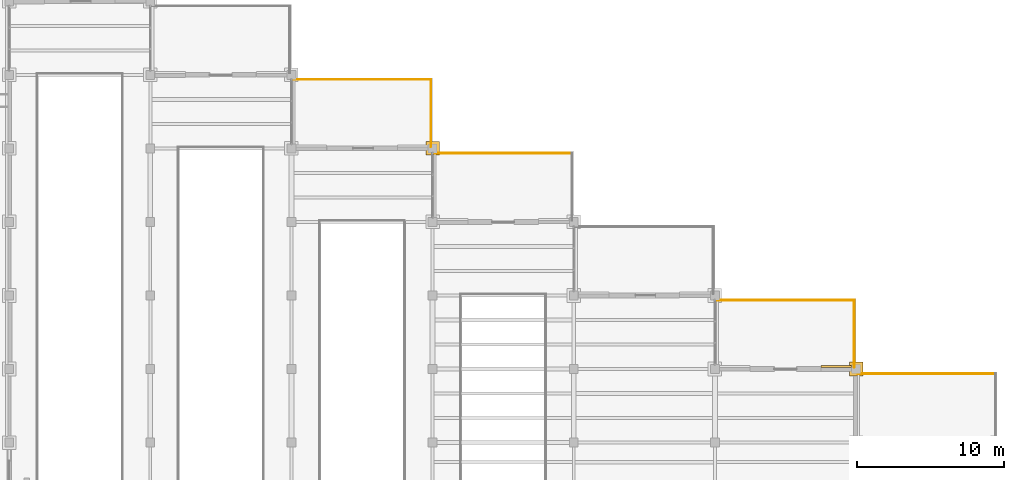
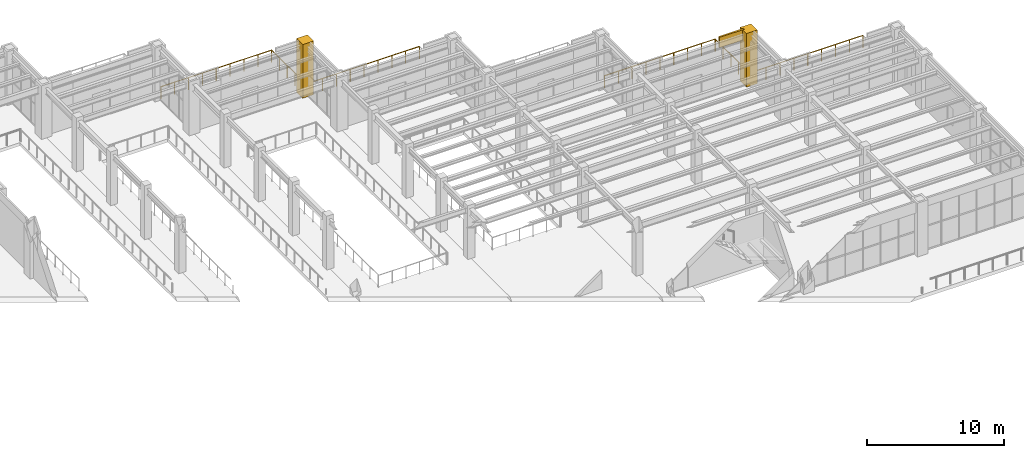
# One storey, part 83 of 83: 6 railings, 3 coverings.
"""IFC4 building model written with IfcOpenShell, lengths in metres."""

import ifcopenshell
import ifcopenshell.guid

model = None  # the IFC model being written
_history = None  # IfcOwnerHistory: only IFC2X3 demands one
_inside = {}  # id of a spatial element -> (the spatial element, [elements in it])
_under = {}  # id of a project, library or spatial element -> (it, [spatial elements below it])
_declared = {}  # id of a project -> (the project, [libraries it declares])
_typed = {}  # id of a type object -> (the type object, [elements of that type])
_made_of = {}  # id of a material, layer set ... -> (it, [elements and type objects made of it])


def new_model(schema):
    """Start an empty IFC model of exactly this schema.

    Asked for "IFC4X3", IfcOpenShell would pick the latest addendum, in which some entities
    have other attributes; the version numbers below select the first issue.
    IFC2X3 requires an IfcOwnerHistory on every rooted entity: one is made here for all.
    """
    global model, _history
    if schema == "IFC4X3":
        model = ifcopenshell.file(schema_version=(4, 3, 0, 0))
    else:
        model = ifcopenshell.file(schema=schema)
    _inside.clear()
    _under.clear()
    _declared.clear()
    _typed.clear()
    _made_of.clear()
    _history = None
    if model.schema == "IFC2X3":
        org = make("IfcOrganization", Name="unknown")
        user = make(
            "IfcPersonAndOrganization",
            ThePerson=make("IfcPerson", FamilyName="unknown"),
            TheOrganization=org,
        )
        app = make(
            "IfcApplication",
            ApplicationDeveloper=org,
            Version="unknown",
            ApplicationFullName="unknown",
            ApplicationIdentifier="unknown",
        )
        _history = make(
            "IfcOwnerHistory",
            OwningUser=user,
            OwningApplication=app,
            ChangeAction="ADDED",
            CreationDate=0,
        )
    return model


def make(cls, **values):
    """One entity of the class cls with the attributes given. An attribute that is None is left unset."""
    return model.create_entity(
        cls, **{name: value for name, value in values.items() if value is not None}
    )


def rooted(cls, **values):
    """An entity with a GlobalId (a new one), such as an element, a storey or a relation."""
    return make(cls, GlobalId=ifcopenshell.guid.new(), OwnerHistory=_history, **values)


def si_unit(unit_type, name, prefix=None):
    """IfcSIUnit, for example si_unit("LENGTHUNIT", "METRE", prefix="MILLI")."""
    return make("IfcSIUnit", UnitType=unit_type, Prefix=prefix, Name=name)


def assignment(units):
    """IfcUnitAssignment: the units of a project."""
    return None if units is None else make("IfcUnitAssignment", Units=units)


def point(xyz):
    """IfcCartesianPoint."""
    return None if xyz is None else make("IfcCartesianPoint", Coordinates=xyz)


def direction(xyz):
    """IfcDirection."""
    return None if xyz is None else make("IfcDirection", DirectionRatios=xyz)


def frame(location, z_axis=None, x_axis=None):
    """IfcAxis2Placement3D, a coordinate frame: its origin and axes. An axis left out is left unset."""
    return make(
        "IfcAxis2Placement3D",
        Location=point(location),
        Axis=direction(z_axis),
        RefDirection=direction(x_axis),
    )


def frame_2d(location, x_axis=None):
    """IfcAxis2Placement2D, a coordinate frame in the plane: its origin and x axis."""
    return make(
        "IfcAxis2Placement2D", Location=point(location), RefDirection=direction(x_axis)
    )


def origin():
    """The frame at (0, 0, 0) with its axes left unset."""
    return frame((0.0, 0.0, 0.0))


def origin_2d():
    """The frame at (0, 0) in the plane with its x axis left unset."""
    return frame_2d((0.0, 0.0))


def place(relative_to, where):
    """IfcLocalPlacement: puts the frame where relative to a parent placement (None: the world)."""
    return make(
        "IfcLocalPlacement", PlacementRelTo=relative_to, RelativePlacement=where
    )


def context(
    kind, dimensions, precision=None, world=None, true_north=None, identifier=None
):
    """IfcGeometricRepresentationContext, for example the 3D "Model" context."""
    return make(
        "IfcGeometricRepresentationContext",
        ContextIdentifier=identifier,
        ContextType=kind,
        CoordinateSpaceDimension=dimensions,
        Precision=precision,
        WorldCoordinateSystem=world,
        TrueNorth=true_north,
    )


def subcontext(parent, identifier, kind, view, scale=None):
    """IfcGeometricRepresentationSubContext, for example "Body" below "Model"."""
    return make(
        "IfcGeometricRepresentationSubContext",
        ContextIdentifier=identifier,
        ContextType=kind,
        ParentContext=parent,
        TargetScale=scale,
        TargetView=view,
    )


def project(units=None, contexts=None):
    """IfcProject with its units and contexts."""
    return rooted(
        "IfcProject",
        Name="project",
        RepresentationContexts=contexts,
        UnitsInContext=assignment(units),
    )


def spatial(cls, under=None, at=None, **own):
    """A site, building, storey or space (cls), placed at a placement, below another one or the project."""
    s = rooted(cls, ObjectPlacement=at, **own)
    if under is not None:
        _under.setdefault(under.id(), (under, []))[1].append(s)
    return s


def polyline(points):
    """IfcPolyline through the points."""
    return make("IfcPolyline", Points=[point(p) for p in points])


def profile(cls, at=None, kind="AREA", **sizes):
    """A parametric profile (cls). Its sizes go by their IFC names, for example OverallWidth=200.0."""
    return make(cls, ProfileType=kind, Position=at, **sizes)


def circle(**sizes):
    """IfcCircleProfileDef."""
    return profile("IfcCircleProfileDef", **sizes)


def outline(outer, holes=None, kind="AREA"):
    """IfcArbitraryClosedProfileDef: a profile drawn as a closed curve; with holes, ...WithVoids."""
    if holes is None:
        return make("IfcArbitraryClosedProfileDef", ProfileType=kind, OuterCurve=outer)
    return make(
        "IfcArbitraryProfileDefWithVoids",
        ProfileType=kind,
        OuterCurve=outer,
        InnerCurves=holes,
    )


def extrude(swept, where, along, depth):
    """IfcExtrudedAreaSolid: the profile swept, set in the frame where, extruded along a direction by depth."""
    return make(
        "IfcExtrudedAreaSolid",
        SweptArea=swept,
        Position=where,
        ExtrudedDirection=direction(along),
        Depth=depth,
    )


def shape(context_of_items, identifier, shape_type, items):
    """IfcShapeRepresentation: the items that make up one representation, for example the "Body"."""
    return make(
        "IfcShapeRepresentation",
        ContextOfItems=context_of_items,
        RepresentationIdentifier=identifier,
        RepresentationType=shape_type,
        Items=items,
    )


def material(Name=None, Category=None):
    """IfcMaterial."""
    return make("IfcMaterial", Name=Name, Category=Category)


def layer(
    of_material, thickness, ventilated=None, Name=None, Category=None, Priority=None
):
    """IfcMaterialLayer: one layer of a wall or slab, of a material (None: an air gap)."""
    return make(
        "IfcMaterialLayer",
        Material=of_material,
        LayerThickness=thickness,
        IsVentilated=ventilated,
        Name=Name,
        Category=Category,
        Priority=Priority,
    )


def layer_set(layers, Name=None):
    """IfcMaterialLayerSet."""
    return make("IfcMaterialLayerSet", MaterialLayers=layers, LayerSetName=Name)


def made_of(thing, what):
    """Note that an element or type object is made of a material, layer set ...; save() writes the relation."""
    if what is not None:
        _made_of.setdefault(what.id(), (what, []))[1].append(thing)
    return thing


def type_object(cls, material=None, **own):
    """A type object (cls), such as IfcWallType, which elements share."""
    return made_of(rooted(cls, **own), material)


def element(
    cls,
    number,
    at=None,
    inside=None,
    cuts=None,
    type_object=None,
    material=None,
    context=None,
    identifier="Body",
    shape_type=None,
    held_by="IfcProductDefinitionShape",
    body=None,
    shapes=None,
    **own,
):
    """One element of the class cls, such as IfcWall. Its Tag is "e" and its number.

    at: its placement. inside: the storey or other place that contains it. cuts: it is an
    opening in that element (IfcRelVoidsElement). A single representation is given by context,
    identifier, shape_type and body (its items); several are given by shapes. held_by: the class
    of the entity that holds the representations. save() writes the other relations.
    """
    e = rooted(cls, Tag="e%d" % number, ObjectPlacement=at, **own)
    if body is not None:
        shapes = [shape(context, identifier, shape_type, body)]
    if shapes is not None:
        e.Representation = make(held_by, Representations=shapes)
    if inside is not None:
        _inside.setdefault(inside.id(), (inside, []))[1].append(e)
    if cuts is not None:
        rooted(
            "IfcRelVoidsElement", RelatingBuildingElement=cuts, RelatedOpeningElement=e
        )
    if type_object is not None:
        _typed.setdefault(type_object.id(), (type_object, []))[1].append(e)
    return made_of(e, material)


def aggregate(whole, parts):
    """IfcRelAggregates: a whole, such as a stair, and the parts it consists of."""
    return rooted("IfcRelAggregates", RelatingObject=whole, RelatedObjects=parts)


def save(model, path):
    """Write the relations noted so far, then the file.

    IfcRelAggregates (storeys below a building ...), IfcRelContainedInSpatialStructure (elements
    in a storey), IfcRelDefinesByType, IfcRelAssociatesMaterial and IfcRelDeclares: one each for
    every whole, place, type object, material and project.
    """
    for whole, parts in _under.values():
        aggregate(whole, parts)
    for where, things in _inside.values():
        rooted(
            "IfcRelContainedInSpatialStructure",
            RelatedElements=things,
            RelatingStructure=where,
        )
    for kind, things in _typed.values():
        rooted("IfcRelDefinesByType", RelatedObjects=things, RelatingType=kind)
    for what, things in _made_of.values():
        rooted("IfcRelAssociatesMaterial", RelatedObjects=things, RelatingMaterial=what)
    for by, libraries in _declared.values():
        rooted("IfcRelDeclares", RelatingContext=by, RelatedDefinitions=libraries)
    model.write(path)


model = new_model("IFC4")

# Units and contexts
model_context = context("Model", 3, precision=1e-05, world=origin(), true_north=direction((0.0, 1.0)))
body_context = subcontext(model_context, "Body", "Model", "MODEL_VIEW")
ifc_project = project(units=[si_unit("LENGTHUNIT", "METRE"), si_unit("AREAUNIT", "SQUARE_METRE"), si_unit("VOLUMEUNIT", "CUBIC_METRE"), si_unit("PLANEANGLEUNIT", "RADIAN"), si_unit("MASSUNIT", "GRAM", prefix="KILO")], contexts=[model_context])

# Site, building, storey
site_placement = place(None, origin())
site = spatial("IfcSite", under=ifc_project, at=site_placement, CompositionType="ELEMENT")
building_placement = place(site_placement, origin())
building = spatial("IfcBuilding", under=site, at=building_placement, Name="Mavantir Sound Aquarium", CompositionType="ELEMENT")
storey_placement = place(building_placement, frame((0.0, 0.0, 10.5)))
storey = spatial("IfcBuildingStorey", under=building, at=storey_placement, Name="L02", CompositionType="ELEMENT", Elevation=10.5)

# Coverings
ifc_material_1 = material(Name="Honed Coral-Limestone & Glazed Terracotta Rainscreen Cladding", Category="masonry")
ifc_layer = layer(ifc_material_1, 0.06005859375, Name="Honed Coral-Limestone & Glazed Terracotta Rainscreen Cladding")
ifc_layer_set = layer_set([ifc_layer], Name="Honed Coral-Limestone & Glazed Terracotta Rainscreen Cladding")
covering_type = type_object("IfcCoveringType", Name="COV-CLAD-TC", PredefinedType="CLADDING", material=ifc_layer_set)
covering_1_placement = place(storey_placement, frame((0.0, 0.0, 3.862060546875)))
element("IfcCovering", 1, at=covering_1_placement, inside=storey, type_object=covering_type, Name="L02 Postmodern coral-limestone spandrel frieze 340", PredefinedType="CLADDING", context=body_context, shape_type="SweptSolid", body=[
    extrude(outline(polyline([(165.2919921875, 65.889892578125), (163.205078125, 65.889892578125), (163.205078125, 66.0400390625), (165.2919921875, 66.0400390625), (165.2919921875, 65.889892578125)])), origin(), (0.0, 0.0, 1.0), 0.93798828125),
])
covering_2_placement = place(storey_placement, origin())
element("IfcCovering", 2, at=covering_2_placement, inside=storey, type_object=covering_type, Name="L02 Postmodern coral-limestone pilaster casing 283", PredefinedType="CLADDING", context=body_context, shape_type="SweptSolid", body=[
    extrude(outline(polyline([(136.340087890625, 80.340087890625), (137.260009765625, 80.340087890625), (137.260009765625, 81.260009765625), (136.340087890625, 81.260009765625), (136.340087890625, 80.340087890625)])), origin(), (0.0, 0.0, 1.0), 4.800048828125),
])
covering_3_placement = place(storey_placement, origin())
element("IfcCovering", 3, at=covering_3_placement, inside=storey, type_object=covering_type, Name="L02 Postmodern coral-limestone pilaster casing 319", PredefinedType="CLADDING", context=body_context, shape_type="SweptSolid", body=[
    extrude(outline(polyline([(165.139892578125, 65.340087890625), (166.06005859375, 65.340087890625), (166.06005859375, 66.260009765625), (165.139892578125, 66.260009765625), (165.139892578125, 65.340087890625)])), origin(), (0.0, 0.0, 1.0), 4.800048828125),
])

# Railings
ifc_material_2 = material(Name="Stainless Steel 316 and Laminated Glass Guardrail", Category="steel")
railing_type = type_object("IfcRailingType", Name="RL-GUARD-110", PredefinedType="GUARDRAIL", material=ifc_material_2)
railing_1_placement = place(storey_placement, frame((127.320068359375, 85.47998046875, 0.0)))
element("IfcRailing", 4, at=railing_1_placement, inside=storey, type_object=railing_type, Name="L02 terrace N guardrail 45", PredefinedType="GUARDRAIL", context=body_context, shape_type="SweptSolid", body=[
    extrude(circle(Radius=0.02392578125, at=origin_2d()), frame((0.0, 0.0, 1.076171875), z_axis=(1.0, 0.0, 0.0), x_axis=(0.0, 1.0, 0.0)), (0.0, 0.0, 1.0), 9.35986328125),
    extrude(circle(Radius=0.02099609375, at=origin_2d()), origin(), (0.0, 0.0, 1.0), 1.052001953125),
    extrude(circle(Radius=0.02099609375, at=origin_2d()), frame((1.169921875, 0.0, 0.0)), (0.0, 0.0, 1.0), 1.052001953125),
    extrude(circle(Radius=0.02099609375, at=origin_2d()), frame((2.33984375, 0.0, 0.0)), (0.0, 0.0, 1.0), 1.052001953125),
    extrude(circle(Radius=0.02099609375, at=origin_2d()), frame((3.510009765625, 0.0, 0.0)), (0.0, 0.0, 1.0), 1.052001953125),
    extrude(circle(Radius=0.02099609375, at=origin_2d()), frame((4.679931640625, 0.0, 0.0)), (0.0, 0.0, 1.0), 1.052001953125),
    extrude(circle(Radius=0.02099609375, at=origin_2d()), frame((5.849853515625, 0.0, 0.0)), (0.0, 0.0, 1.0), 1.052001953125),
    extrude(circle(Radius=0.02099609375, at=origin_2d()), frame((7.02001953125, 0.0, 0.0)), (0.0, 0.0, 1.0), 1.052001953125),
    extrude(circle(Radius=0.02099609375, at=origin_2d()), frame((8.18994140625, 0.0, 0.0)), (0.0, 0.0, 1.0), 1.052001953125),
    extrude(circle(Radius=0.02099609375, at=origin_2d()), frame((9.35986328125, 0.0, 0.0)), (0.0, 0.0, 1.0), 1.052001953125),
])
railing_2_placement = place(storey_placement, frame((136.679931640625, 80.919921875, 0.0)))
element("IfcRailing", 5, at=railing_2_placement, inside=storey, type_object=railing_type, Name="L02 terrace E guardrail 46", PredefinedType="GUARDRAIL", context=body_context, shape_type="SweptSolid", body=[
    extrude(circle(Radius=0.02392578125, at=origin_2d()), frame((0.0, 0.0, 1.076171875), z_axis=(0.0, 1.0, 0.0), x_axis=(-1.0, 0.0, 0.0)), (0.0, 0.0, 1.0), 4.56005859375),
    extrude(circle(Radius=0.02099609375, at=origin_2d()), origin(), (0.0, 0.0, 1.0), 1.052001953125),
    extrude(circle(Radius=0.02099609375, at=origin_2d()), frame((0.0, 1.14013671875, 0.0)), (0.0, 0.0, 1.0), 1.052001953125),
    extrude(circle(Radius=0.02099609375, at=origin_2d()), frame((0.0, 2.280029296875, 0.0)), (0.0, 0.0, 1.0), 1.052001953125),
    extrude(circle(Radius=0.02099609375, at=origin_2d()), frame((0.0, 3.419921875, 0.0)), (0.0, 0.0, 1.0), 1.052001953125),
    extrude(circle(Radius=0.02099609375, at=origin_2d()), frame((0.0, 4.56005859375, 0.0)), (0.0, 0.0, 1.0), 1.052001953125),
])
railing_3_placement = place(storey_placement, frame((136.919921875, 80.47998046875, 0.0)))
element("IfcRailing", 6, at=railing_3_placement, inside=storey, type_object=railing_type, Name="L02 terrace N guardrail 47", PredefinedType="GUARDRAIL", context=body_context, shape_type="SweptSolid", body=[
    extrude(circle(Radius=0.02392578125, at=origin_2d()), frame((0.0, 0.0, 1.076171875), z_axis=(1.0, 0.0, 0.0), x_axis=(0.0, 1.0, 0.0)), (0.0, 0.0, 1.0), 9.360107421875),
    extrude(circle(Radius=0.02099609375, at=origin_2d()), origin(), (0.0, 0.0, 1.0), 1.052001953125),
    extrude(circle(Radius=0.02099609375, at=origin_2d()), frame((1.169921875, 0.0, 0.0)), (0.0, 0.0, 1.0), 1.052001953125),
    extrude(circle(Radius=0.02099609375, at=origin_2d()), frame((2.340087890625, 0.0, 0.0)), (0.0, 0.0, 1.0), 1.052001953125),
    extrude(circle(Radius=0.02099609375, at=origin_2d()), frame((3.510009765625, 0.0, 0.0)), (0.0, 0.0, 1.0), 1.052001953125),
    extrude(circle(Radius=0.02099609375, at=origin_2d()), frame((4.68017578125, 0.0, 0.0)), (0.0, 0.0, 1.0), 1.052001953125),
    extrude(circle(Radius=0.02099609375, at=origin_2d()), frame((5.85009765625, 0.0, 0.0)), (0.0, 0.0, 1.0), 1.052001953125),
    extrude(circle(Radius=0.02099609375, at=origin_2d()), frame((7.02001953125, 0.0, 0.0)), (0.0, 0.0, 1.0), 1.052001953125),
    extrude(circle(Radius=0.02099609375, at=origin_2d()), frame((8.190185546875, 0.0, 0.0)), (0.0, 0.0, 1.0), 1.052001953125),
    extrude(circle(Radius=0.02099609375, at=origin_2d()), frame((9.360107421875, 0.0, 0.0)), (0.0, 0.0, 1.0), 1.052001953125),
])
railing_4_placement = place(storey_placement, frame((156.1201171875, 70.47998046875, 0.0)))
element("IfcRailing", 7, at=railing_4_placement, inside=storey, type_object=railing_type, Name="L02 terrace N guardrail 51", PredefinedType="GUARDRAIL", context=body_context, shape_type="SweptSolid", body=[
    extrude(circle(Radius=0.02392578125, at=origin_2d()), frame((0.0, 0.0, 1.076171875), z_axis=(1.0, 0.0, 0.0), x_axis=(0.0, 1.0, 0.0)), (0.0, 0.0, 1.0), 9.35986328125),
    extrude(circle(Radius=0.02099609375, at=origin_2d()), origin(), (0.0, 0.0, 1.0), 1.052001953125),
    extrude(circle(Radius=0.02099609375, at=origin_2d()), frame((1.169921875, 0.0, 0.0)), (0.0, 0.0, 1.0), 1.052001953125),
    extrude(circle(Radius=0.02099609375, at=origin_2d()), frame((2.33984375, 0.0, 0.0)), (0.0, 0.0, 1.0), 1.052001953125),
    extrude(circle(Radius=0.02099609375, at=origin_2d()), frame((3.510009765625, 0.0, 0.0)), (0.0, 0.0, 1.0), 1.052001953125),
    extrude(circle(Radius=0.02099609375, at=origin_2d()), frame((4.679931640625, 0.0, 0.0)), (0.0, 0.0, 1.0), 1.052001953125),
    extrude(circle(Radius=0.02099609375, at=origin_2d()), frame((5.849853515625, 0.0, 0.0)), (0.0, 0.0, 1.0), 1.052001953125),
    extrude(circle(Radius=0.02099609375, at=origin_2d()), frame((7.02001953125, 0.0, 0.0)), (0.0, 0.0, 1.0), 1.052001953125),
    extrude(circle(Radius=0.02099609375, at=origin_2d()), frame((8.18994140625, 0.0, 0.0)), (0.0, 0.0, 1.0), 1.052001953125),
    extrude(circle(Radius=0.02099609375, at=origin_2d()), frame((9.35986328125, 0.0, 0.0)), (0.0, 0.0, 1.0), 1.052001953125),
])
railing_5_placement = place(storey_placement, frame((165.47998046875, 65.919921875, 0.0)))
element("IfcRailing", 8, at=railing_5_placement, inside=storey, type_object=railing_type, Name="L02 terrace E guardrail 52", PredefinedType="GUARDRAIL", context=body_context, shape_type="SweptSolid", body=[
    extrude(circle(Radius=0.02392578125, at=origin_2d()), frame((0.0, 0.0, 1.076171875), z_axis=(0.0, 1.0, 0.0), x_axis=(-1.0, 0.0, 0.0)), (0.0, 0.0, 1.0), 4.56005859375),
    extrude(circle(Radius=0.02099609375, at=origin_2d()), origin(), (0.0, 0.0, 1.0), 1.052001953125),
    extrude(circle(Radius=0.02099609375, at=origin_2d()), frame((0.0, 1.14013671875, 0.0)), (0.0, 0.0, 1.0), 1.052001953125),
    extrude(circle(Radius=0.02099609375, at=origin_2d()), frame((0.0, 2.280029296875, 0.0)), (0.0, 0.0, 1.0), 1.052001953125),
    extrude(circle(Radius=0.02099609375, at=origin_2d()), frame((0.0, 3.419921875, 0.0)), (0.0, 0.0, 1.0), 1.052001953125),
    extrude(circle(Radius=0.02099609375, at=origin_2d()), frame((0.0, 4.56005859375, 0.0)), (0.0, 0.0, 1.0), 1.052001953125),
])
railing_6_placement = place(storey_placement, frame((165.719970703125, 65.47998046875, 0.0)))
element("IfcRailing", 9, at=railing_6_placement, inside=storey, type_object=railing_type, Name="L02 terrace N guardrail 53", PredefinedType="GUARDRAIL", context=body_context, shape_type="SweptSolid", body=[
    extrude(circle(Radius=0.02392578125, at=origin_2d()), frame((0.0, 0.0, 1.076171875), z_axis=(1.0, 0.0, 0.0), x_axis=(0.0, 1.0, 0.0)), (0.0, 0.0, 1.0), 9.360107421875),
    extrude(circle(Radius=0.02099609375, at=origin_2d()), origin(), (0.0, 0.0, 1.0), 1.052001953125),
    extrude(circle(Radius=0.02099609375, at=origin_2d()), frame((1.169921875, 0.0, 0.0)), (0.0, 0.0, 1.0), 1.052001953125),
    extrude(circle(Radius=0.02099609375, at=origin_2d()), frame((2.340087890625, 0.0, 0.0)), (0.0, 0.0, 1.0), 1.052001953125),
    extrude(circle(Radius=0.02099609375, at=origin_2d()), frame((3.510009765625, 0.0, 0.0)), (0.0, 0.0, 1.0), 1.052001953125),
    extrude(circle(Radius=0.02099609375, at=origin_2d()), frame((4.68017578125, 0.0, 0.0)), (0.0, 0.0, 1.0), 1.052001953125),
    extrude(circle(Radius=0.02099609375, at=origin_2d()), frame((5.85009765625, 0.0, 0.0)), (0.0, 0.0, 1.0), 1.052001953125),
    extrude(circle(Radius=0.02099609375, at=origin_2d()), frame((7.02001953125, 0.0, 0.0)), (0.0, 0.0, 1.0), 1.052001953125),
    extrude(circle(Radius=0.02099609375, at=origin_2d()), frame((8.190185546875, 0.0, 0.0)), (0.0, 0.0, 1.0), 1.052001953125),
    extrude(circle(Radius=0.02099609375, at=origin_2d()), frame((9.360107421875, 0.0, 0.0)), (0.0, 0.0, 1.0), 1.052001953125),
])

save(model, "model.ifc")
